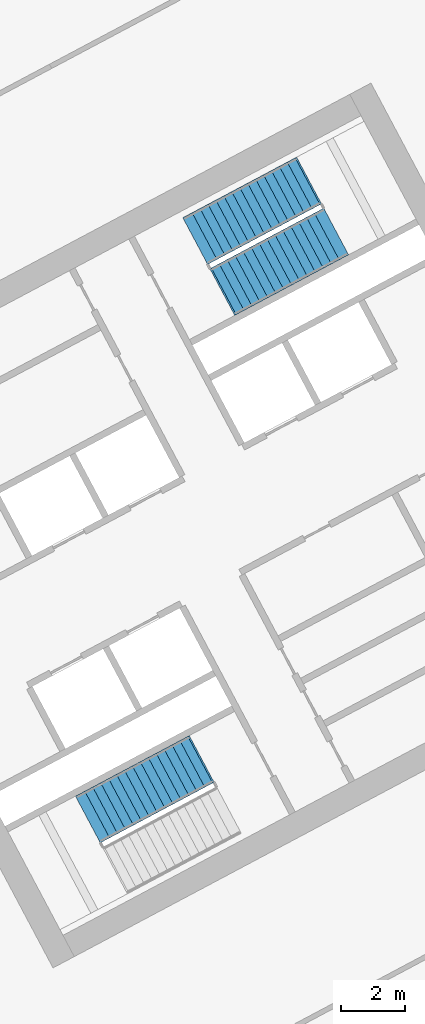
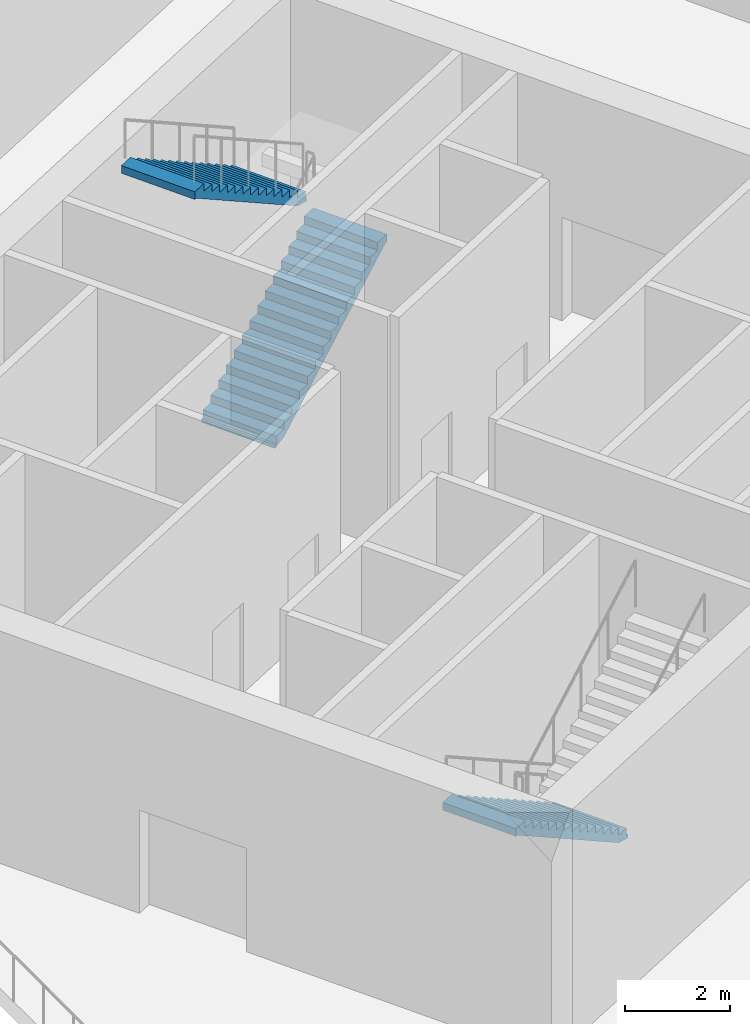
# One storey, part 19 of 31: 3 stair flights, 2 elements without a shape of their own.
"""IFC4 building model written with IfcOpenShell, lengths in metres."""

from ifc_helpers import new_model, si_unit, direction, frame, origin, place, context, subcontext, project, spatial, polyline, outline, extrude, material, type_object, element, aggregate, save


model = new_model("IFC4")

# Units and contexts
model_context = context("Model", 3, precision=1e-05, world=origin(), true_north=direction((0.0, 1.0)))
body_context = subcontext(model_context, "Body", "Model", "MODEL_VIEW")
ifc_project = project(units=[si_unit("LENGTHUNIT", "METRE"), si_unit("AREAUNIT", "SQUARE_METRE"), si_unit("VOLUMEUNIT", "CUBIC_METRE"), si_unit("PLANEANGLEUNIT", "RADIAN"), si_unit("MASSUNIT", "GRAM", prefix="KILO")], contexts=[model_context])

# Site, building, storey
site_placement = place(None, origin())
site = spatial("IfcSite", under=ifc_project, at=site_placement, CompositionType="ELEMENT")
building_placement = place(site_placement, origin())
building = spatial("IfcBuilding", under=site, at=building_placement, Name="Cormorant Relay Tower", CompositionType="ELEMENT")
storey_placement = place(building_placement, frame((0.0, 0.0, 178.199951171875)))
storey = spatial("IfcBuildingStorey", under=building, at=storey_placement, Name="L38", CompositionType="ELEMENT", Elevation=178.199951171875)

# Stair, stair flight
ifc_material_1 = material(Name="Concrete 40 MPa", Category="concrete")
stair_type = type_object("IfcStairType", Name="Exit stair 1500", PredefinedType="HALF_TURN_STAIR", material=ifc_material_1)
stair_1_placement = place(storey_placement, origin())
stair_1 = element("IfcStair", 1, at=stair_1_placement, inside=storey, type_object=stair_type, Name="L38 Stair", PredefinedType="HALF_TURN_STAIR")
ifc_material_2 = material(Name="Concrete 40 MPa", Category="concrete")
stair_flight_type = type_object("IfcStairFlightType", Name="Exit stair flight 1650", PredefinedType="STRAIGHT", material=ifc_material_2)
stair_flight_1_placement = place(storey_placement, frame((23.474365234375, 5.374755859375, 0.0), z_axis=(0.0, 0.0, 1.0), x_axis=(-0.882947592859, -0.469471562786, 0.0)))
stair_flight_1 = element("IfcStairFlight", 2, at=stair_flight_1_placement, type_object=stair_flight_type, Name="B1 flight 1", NumberOfRisers=15, NumberOfTreads=14, PredefinedType="STRAIGHT", RiserHeight=0.18, TreadLength=0.28, context=body_context, shape_type="SweptSolid", body=[
    extrude(outline(polyline([(-0.050048828125, -0.080078125), (-0.050048828125, 0.0), (0.0, 0.0), (0.0, 0.179931640625), (0.280029296875, 0.179931640625), (0.280029296875, 0.360107421875), (0.56005859375, 0.360107421875), (0.56005859375, 0.5400390625), (0.840087890625, 0.5400390625), (0.840087890625, 0.719970703125), (1.1201171875, 0.719970703125), (1.1201171875, 0.89990234375), (1.39990234375, 0.89990234375), (1.39990234375, 1.080078125), (1.679931640625, 1.080078125), (1.679931640625, 1.260009765625), (1.9599609375, 1.260009765625), (1.9599609375, 1.43994140625), (2.239990234375, 1.43994140625), (2.239990234375, 1.6201171875), (2.52001953125, 1.6201171875), (2.52001953125, 1.800048828125), (2.800048828125, 1.800048828125), (2.800048828125, 1.97998046875), (3.080078125, 1.97998046875), (3.080078125, 2.159912109375), (3.360107421875, 2.159912109375), (3.360107421875, 2.340087890625), (3.639892578125, 2.340087890625), (3.639892578125, 2.52001953125), (3.919921875, 2.52001953125), (3.969970703125, 2.52001953125), (3.969970703125, 2.341796875), (3.919921875, 2.341796875), (0.277099609375, 0.0), (-0.050048828125, -0.080078125)])), frame((0.0, 0.824951171875, 0.0), z_axis=(0.0, -1.0, 0.0), x_axis=(1.0, 0.0, 0.0)), (0.0, 0.0, 1.0), 1.64990234375),
])
aggregate(stair_1, [stair_flight_1])

# Stair, stair flights
stair_2_placement = place(storey_placement, origin())
stair_2 = element("IfcStair", 3, at=stair_2_placement, inside=storey, type_object=stair_type, Name="L38 Stair", PredefinedType="HALF_TURN_STAIR")
stair_flight_2_placement = place(storey_placement, frame((24.20458984375, 19.976806640625, 0.0), z_axis=(0.0, 0.0, 1.0), x_axis=(0.882947592859, 0.469471562786, 0.0)))
stair_flight_2 = element("IfcStairFlight", 4, at=stair_flight_2_placement, type_object=stair_flight_type, Name="B2 flight 1", NumberOfRisers=15, NumberOfTreads=14, PredefinedType="STRAIGHT", RiserHeight=0.18, TreadLength=0.28, context=body_context, shape_type="SweptSolid", body=[
    extrude(outline(polyline([(-0.050048828125, -0.080078125), (-0.050048828125, 0.0), (0.0, 0.0), (0.0, 0.179931640625), (0.280029296875, 0.179931640625), (0.280029296875, 0.360107421875), (0.56005859375, 0.360107421875), (0.56005859375, 0.5400390625), (0.840087890625, 0.5400390625), (0.840087890625, 0.719970703125), (1.1201171875, 0.719970703125), (1.1201171875, 0.89990234375), (1.39990234375, 0.89990234375), (1.39990234375, 1.080078125), (1.679931640625, 1.080078125), (1.679931640625, 1.260009765625), (1.9599609375, 1.260009765625), (1.9599609375, 1.43994140625), (2.239990234375, 1.43994140625), (2.239990234375, 1.6201171875), (2.52001953125, 1.6201171875), (2.52001953125, 1.800048828125), (2.800048828125, 1.800048828125), (2.800048828125, 1.97998046875), (3.080078125, 1.97998046875), (3.080078125, 2.159912109375), (3.360107421875, 2.159912109375), (3.360107421875, 2.340087890625), (3.639892578125, 2.340087890625), (3.639892578125, 2.52001953125), (3.919921875, 2.52001953125), (3.969970703125, 2.52001953125), (3.969970703125, 2.341796875), (3.919921875, 2.341796875), (0.277099609375, 0.0), (-0.050048828125, -0.080078125)])), frame((0.0, 0.824951171875, 0.0), z_axis=(0.0, -1.0, 0.0), x_axis=(1.0, 0.0, 0.0)), (0.0, 0.0, 1.0), 1.64990234375),
])
stair_flight_3_placement = place(storey_placement, frame((26.82080078125, 23.406494140625, 2.699951171875), z_axis=(0.0, 0.0, 1.0), x_axis=(-0.882947592859, -0.469471562786, 0.0)))
stair_flight_3 = element("IfcStairFlight", 5, at=stair_flight_3_placement, type_object=stair_flight_type, Name="B2 flight 2", NumberOfRisers=15, NumberOfTreads=14, PredefinedType="STRAIGHT", RiserHeight=0.18, TreadLength=0.28, context=body_context, shape_type="SweptSolid", body=[
    extrude(outline(polyline([(-0.050048828125, -0.080078125), (-0.050048828125, 0.0), (0.0, 0.0), (0.0, 0.179931640625), (0.280029296875, 0.179931640625), (0.280029296875, 0.360107421875), (0.56005859375, 0.360107421875), (0.56005859375, 0.5400390625), (0.840087890625, 0.5400390625), (0.840087890625, 0.719970703125), (1.1201171875, 0.719970703125), (1.1201171875, 0.89990234375), (1.39990234375, 0.89990234375), (1.39990234375, 1.080078125), (1.679931640625, 1.080078125), (1.679931640625, 1.260009765625), (1.9599609375, 1.260009765625), (1.9599609375, 1.43994140625), (2.239990234375, 1.43994140625), (2.239990234375, 1.6201171875), (2.52001953125, 1.6201171875), (2.52001953125, 1.800048828125), (2.800048828125, 1.800048828125), (2.800048828125, 1.97998046875), (3.080078125, 1.97998046875), (3.080078125, 2.159912109375), (3.360107421875, 2.159912109375), (3.360107421875, 2.340087890625), (3.639892578125, 2.340087890625), (3.639892578125, 2.52001953125), (3.919921875, 2.52001953125), (3.969970703125, 2.52001953125), (3.969970703125, 2.341796875), (3.919921875, 2.341796875), (0.277099609375, 0.0), (-0.050048828125, -0.080078125)])), frame((0.0, 0.824951171875, 0.0), z_axis=(0.0, -1.0, 0.0), x_axis=(1.0, 0.0, 0.0)), (0.0, 0.0, 1.0), 1.64990234375),
])
aggregate(stair_2, [stair_flight_2, stair_flight_3])

save(model, "model.ifc")
